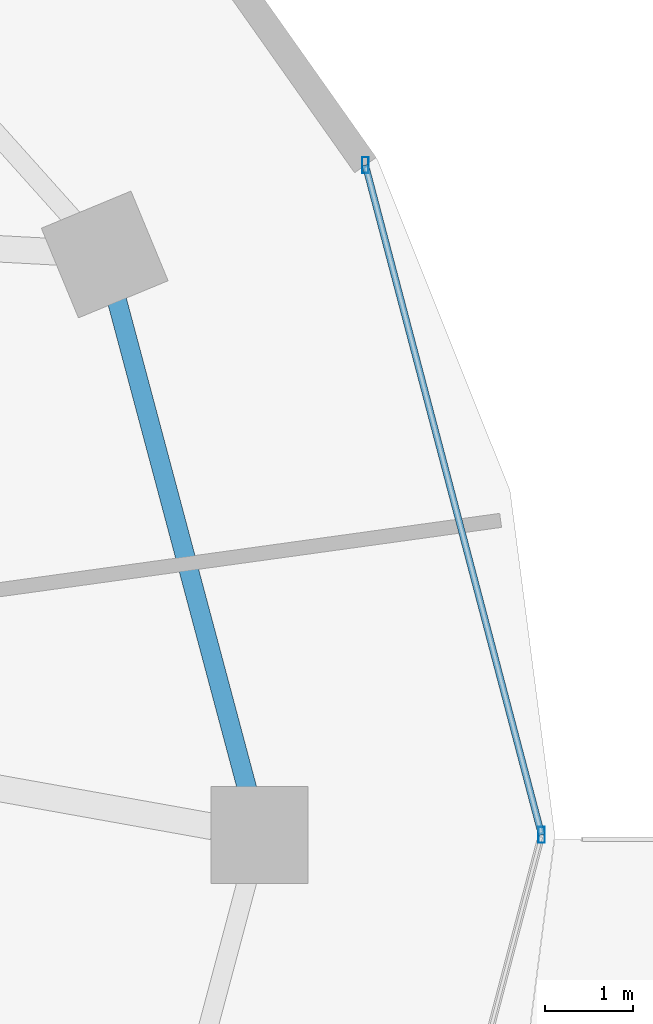
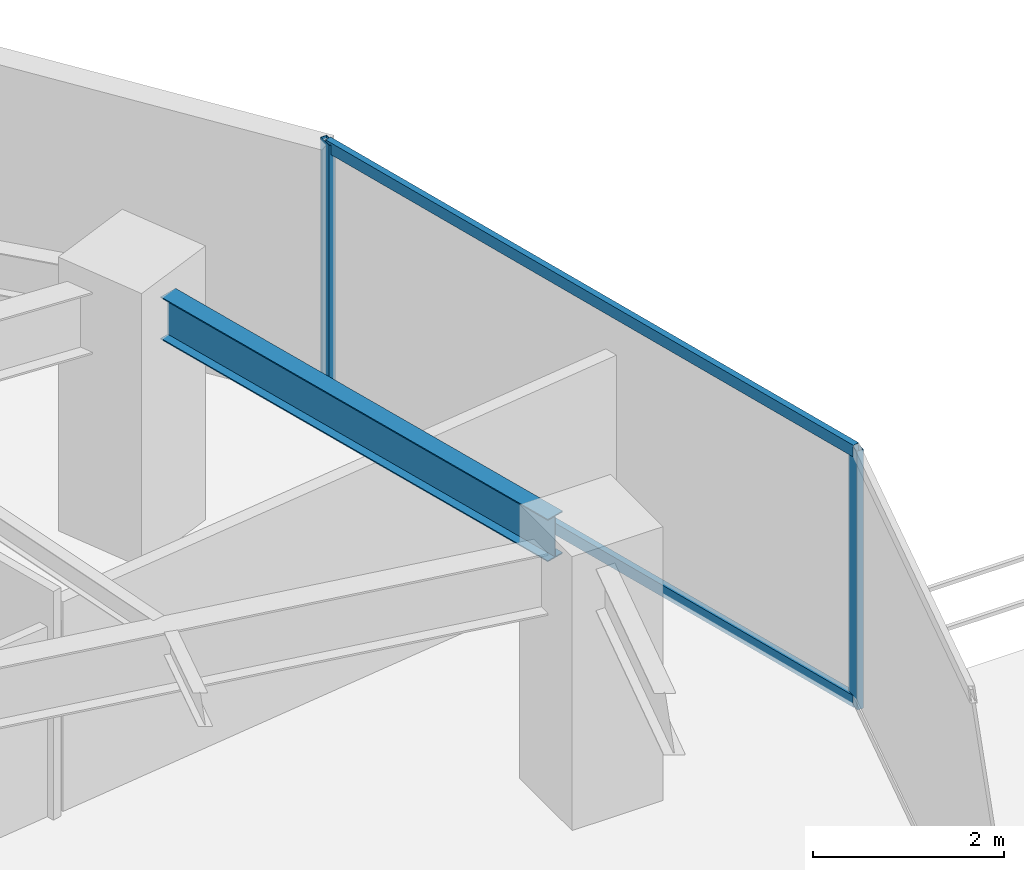
# One storey, part 15 of 30: 4 members, 1 beam, 1 element without a shape of its own.
"""IFC4 building model written with IfcOpenShell, lengths in metres."""

from ifc_helpers import new_model, si_unit, direction, frame, origin, origin_2d, place, context, subcontext, project, spatial, hollow_rectangle, i_section, extrude, material, material_profile, profile_set, type_object, element, aggregate, save


model = new_model("IFC4")

# Units and contexts
model_context = context("Model", 3, precision=1e-05, world=origin(), true_north=direction((0.0, 1.0)))
body_context = subcontext(model_context, "Body", "Model", "MODEL_VIEW")
ifc_project = project(units=[si_unit("LENGTHUNIT", "METRE"), si_unit("AREAUNIT", "SQUARE_METRE"), si_unit("VOLUMEUNIT", "CUBIC_METRE"), si_unit("PLANEANGLEUNIT", "RADIAN"), si_unit("MASSUNIT", "GRAM", prefix="KILO")], contexts=[model_context])

# Site, building, storey
site_placement = place(None, origin())
site = spatial("IfcSite", under=ifc_project, at=site_placement, CompositionType="ELEMENT")
building_placement = place(site_placement, origin())
building = spatial("IfcBuilding", under=site, at=building_placement, Name="Vorneva Point Tower", CompositionType="ELEMENT")
storey_placement = place(building_placement, frame((0.0, 0.0, 89.300048828125)))
storey = spatial("IfcBuildingStorey", under=building, at=storey_placement, Name="L23", CompositionType="ELEMENT", Elevation=89.300048828125)

# Beam
ifc_material_1 = material(Name="Steel S355", Category="steel")
ifc_material_profile_1 = material_profile(ifc_material_1, i_section(OverallWidth=0.219970703125, OverallDepth=0.54296875, WebThickness=0.009521484375, FlangeThickness=0.013427734375, at=origin_2d()), Name="55B1")
ifc_profile_set_1 = profile_set([ifc_material_profile_1], Name="Steel S355")
beam_type = type_object("IfcBeamType", Name="BM-SPN-55B1", PredefinedType="SPANDREL", material=ifc_profile_set_1)
beam_placement = place(storey_placement, frame((60.912109375, 26.516845703125, 2.968505859375), z_axis=(-0.257572674071, 0.966258928845, 0.0), x_axis=(-0.966258928845, -0.257572674071, 0.0)))
element("IfcBeam", 1, at=beam_placement, inside=storey, type_object=beam_type, Name="L23 Perimeter Spandrel Ring Beam 01", PredefinedType="SPANDREL", context=body_context, shape_type="SweptSolid", body=[
    extrude(i_section(OverallWidth=0.219970703125, OverallDepth=0.54296875, WebThickness=0.009521484375, FlangeThickness=0.013427734375, at=origin_2d()), origin(), (0.0, 0.0, 1.0), 5.7421875),
])

# Curtain wall, members
ifc_material_2 = material(Name="Pale anodised aluminium", Category="aluminium")
curtain_wall_type = type_object("IfcCurtainWallType", Name="CW-HTL-SYS", PredefinedType="NOTDEFINED", material=ifc_material_2)
curtain_wall_placement = place(storey_placement, origin())
curtain_wall = element("IfcCurtainWall", 2, at=curtain_wall_placement, inside=storey, type_object=curtain_wall_type, Name="L23 Unitised Curtain Wall CW-L23-R01", PredefinedType="NOTDEFINED")
ifc_material_profile_2 = material_profile(ifc_material_2, hollow_rectangle(XDim=0.074951171875, YDim=0.179931640625, WallThickness=0.00390625, at=origin_2d()), Name="AL-MUL 180x75x4")
ifc_profile_set_2 = profile_set([ifc_material_profile_2], Name="Pale anodised aluminium")
member_type_1 = type_object("IfcMemberType", Name="CW-MUL-180", PredefinedType="MULLION", material=ifc_profile_set_2)
member_1_placement = place(storey_placement, frame((64.25, 26.0, -0.0400390625), z_axis=(0.0, 0.0, 1.0), x_axis=(1.0, 0.0, 0.0)))
member_1 = element("IfcMember", 3, at=member_1_placement, type_object=member_type_1, Name="CW-L23-R01 Mullion 03", PredefinedType="MULLION", context=body_context, shape_type="SweptSolid", body=[
    extrude(hollow_rectangle(XDim=0.074951171875, YDim=0.179931640625, WallThickness=0.00390625, at=origin_2d()), origin(), (0.0, 0.0, 1.0), 3.31005859375),
])
member_2_placement = place(storey_placement, frame((62.251708984375, 33.59619140625, -0.0400390625), z_axis=(0.0, 0.0, 1.0), x_axis=(1.0, 0.0, 0.0)))
member_2 = element("IfcMember", 4, at=member_2_placement, type_object=member_type_1, Name="CW-L23-R01 Mullion 04", PredefinedType="MULLION", context=body_context, shape_type="SweptSolid", body=[
    extrude(hollow_rectangle(XDim=0.074951171875, YDim=0.179931640625, WallThickness=0.00390625, at=origin_2d()), origin(), (0.0, 0.0, 1.0), 3.31005859375),
])
ifc_material_profile_3 = material_profile(ifc_material_2, hollow_rectangle(XDim=0.074951171875, YDim=0.14990234375, WallThickness=0.00390625, at=origin_2d()), Name="AL-TRN 150x75x4")
ifc_profile_set_3 = profile_set([ifc_material_profile_3], Name="Pale anodised aluminium")
member_type_2 = type_object("IfcMemberType", Name="CW-TRN-150", PredefinedType="USERDEFINED", material=ifc_profile_set_3)
member_3_placement = place(storey_placement, frame((64.25, 26.0, 0.02001953125), z_axis=(-0.254409150465, 0.967096677773, 0.0), x_axis=(-0.967096677773, -0.254409150465, 0.0)))
member_3 = element("IfcMember", 5, at=member_3_placement, type_object=member_type_2, Name="CW-L23-R01 Transom 03.1", ObjectType="TRANSOM", PredefinedType="USERDEFINED", context=body_context, shape_type="SweptSolid", body=[
    extrude(hollow_rectangle(XDim=0.074951171875, YDim=0.14990234375, WallThickness=0.00390625, at=origin_2d()), origin(), (0.0, 0.0, 1.0), 7.854736328125),
])
member_4_placement = place(storey_placement, frame((64.25, 26.0, 3.219970703125), z_axis=(-0.254409150465, 0.967096677773, 0.0), x_axis=(-0.967096677773, -0.254409150465, 0.0)))
member_4 = element("IfcMember", 6, at=member_4_placement, type_object=member_type_2, Name="CW-L23-R01 Transom 03.2", ObjectType="TRANSOM", PredefinedType="USERDEFINED", context=body_context, shape_type="SweptSolid", body=[
    extrude(hollow_rectangle(XDim=0.074951171875, YDim=0.14990234375, WallThickness=0.00390625, at=origin_2d()), origin(), (0.0, 0.0, 1.0), 7.854736328125),
])
aggregate(curtain_wall, [member_1, member_2, member_3, member_4])

save(model, "model.ifc")
